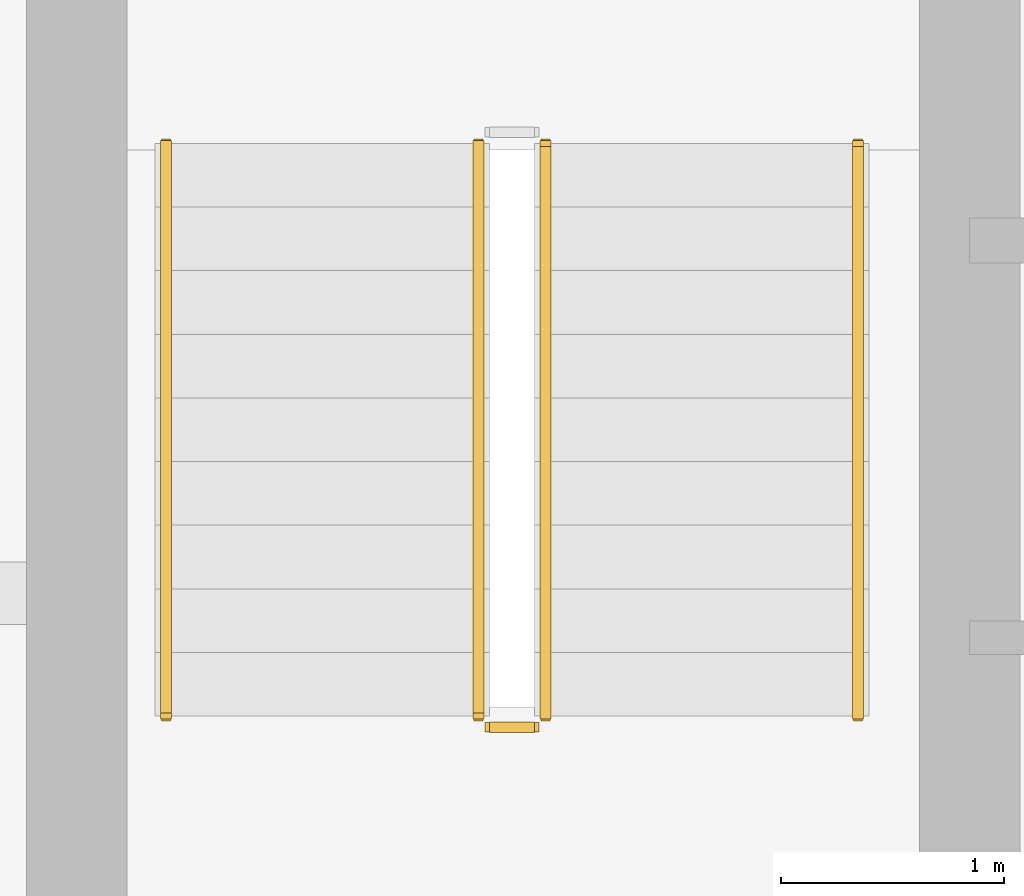
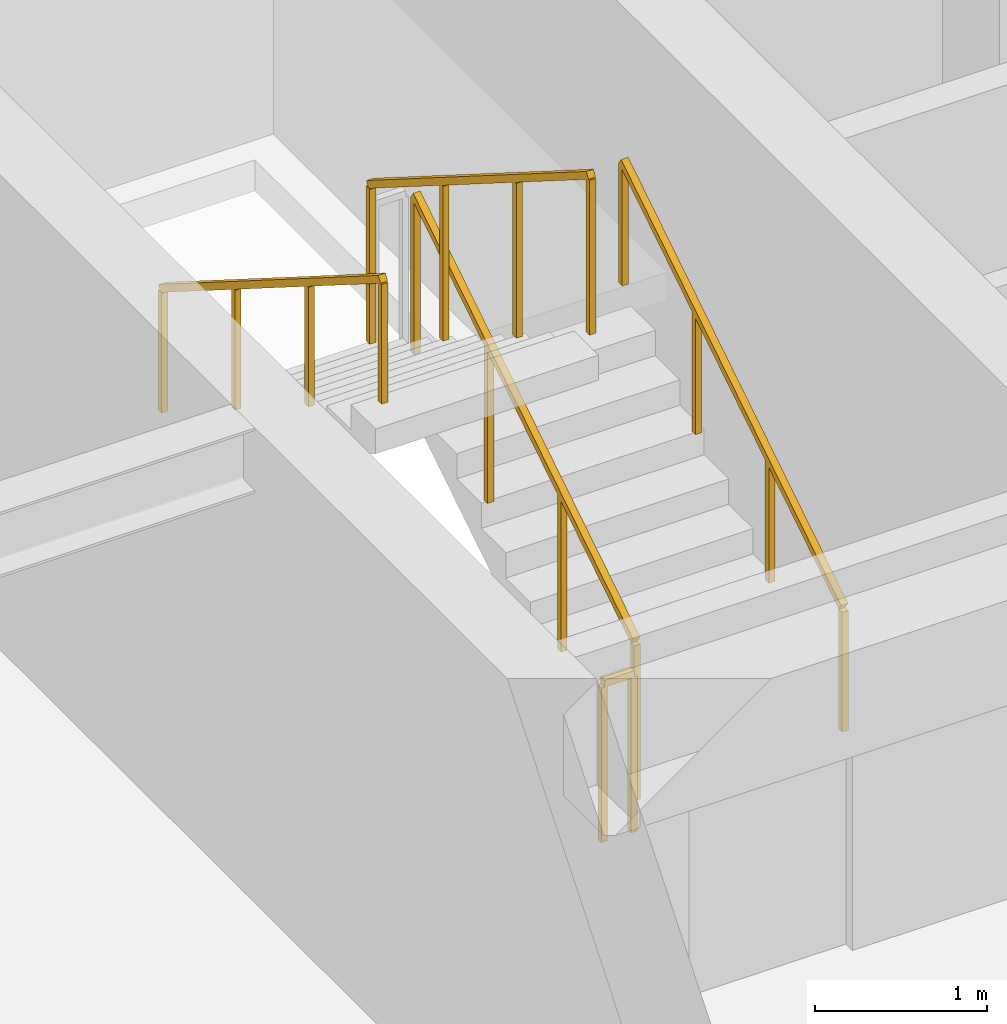
# One storey, part 25 of 27: 5 railings.
"""IFC4 building model written with IfcOpenShell, lengths in metres."""

from ifc_helpers import new_model, si_unit, direction, frame, origin, origin_2d, place, context, subcontext, project, spatial, rectangle, extrude, material, type_object, element, save


model = new_model("IFC4")

# Units and contexts
model_context = context("Model", 3, precision=1e-05, world=origin(), true_north=direction((0.0, 1.0)))
body_context = subcontext(model_context, "Body", "Model", "MODEL_VIEW")
ifc_project = project(units=[si_unit("LENGTHUNIT", "METRE"), si_unit("AREAUNIT", "SQUARE_METRE"), si_unit("VOLUMEUNIT", "CUBIC_METRE"), si_unit("PLANEANGLEUNIT", "RADIAN"), si_unit("MASSUNIT", "GRAM", prefix="KILO")], contexts=[model_context])

# Site, building, storey
site_placement = place(None, origin())
site = spatial("IfcSite", under=ifc_project, at=site_placement, CompositionType="ELEMENT")
building_placement = place(site_placement, origin())
building = spatial("IfcBuilding", under=site, at=building_placement, Name="Sarneth Arch Tower", CompositionType="ELEMENT")
storey_placement = place(building_placement, frame((0.0, 0.0, 193.800048828125)))
storey = spatial("IfcBuildingStorey", under=building, at=storey_placement, Name="L49", CompositionType="ELEMENT", Elevation=193.800048828125)

# Railings
ifc_material_1 = material(Name="Brushed Stainless Steel 304 tubular handrail", Category="steel")
railing_type_1 = type_object("IfcRailingType", Name="RAIL-HANDRAIL-900", PredefinedType="HANDRAIL", material=ifc_material_1)
railing_1_placement = place(storey_placement, frame((40.5, 41.449951171875, 0.179931640625)))
element("IfcRailing", 1, at=railing_1_placement, inside=storey, type_object=railing_type_1, Name="L49 ST-1 stair handrail 1", PredefinedType="HANDRAIL", context=body_context, shape_type="SweptSolid", body=[
    extrude(rectangle(XDim=0.048095703125, YDim=0.048095703125, at=origin_2d()), frame((0.0, 0.0, 0.8759765625), z_axis=(0.0, 0.845465955043, 0.534029323973), x_axis=(-1.0, 0.0, 0.0)), (0.0, 0.0, 1.0), 3.03369140625),
    extrude(rectangle(XDim=0.0419921875, YDim=0.0419921875, at=origin_2d()), origin(), (0.0, 0.0, 1.0), 0.851806640625),
    extrude(rectangle(XDim=0.0419921875, YDim=0.0419921875, at=origin_2d()), frame((0.0, 0.85498046875, 0.5400390625)), (0.0, 0.0, 1.0), 0.851806640625),
    extrude(rectangle(XDim=0.0419921875, YDim=0.0419921875, at=origin_2d()), frame((0.0, 1.7099609375, 1.080078125)), (0.0, 0.0, 1.0), 0.851806640625),
    extrude(rectangle(XDim=0.0419921875, YDim=0.0419921875, at=origin_2d()), frame((0.0, 2.56494140625, 1.6201171875)), (0.0, 0.0, 1.0), 0.851806640625),
])
railing_2_placement = place(storey_placement, frame((37.39990234375, 44.014892578125, 1.97998046875)))
element("IfcRailing", 2, at=railing_2_placement, inside=storey, type_object=railing_type_1, Name="L49 ST-1 stair handrail 2", PredefinedType="HANDRAIL", context=body_context, shape_type="SweptSolid", body=[
    extrude(rectangle(XDim=0.048095703125, YDim=0.048095703125, at=origin_2d()), frame((0.0, 0.0, 0.8759765625), z_axis=(0.0, -0.845502289212, 0.533971796014), x_axis=(1.0, 0.0, 0.0)), (0.0, 0.0, 1.0), 3.03369140625),
    extrude(rectangle(XDim=0.0419921875, YDim=0.0419921875, at=origin_2d()), origin(), (0.0, 0.0, 1.0), 0.851806640625),
    extrude(rectangle(XDim=0.0419921875, YDim=0.0419921875, at=origin_2d()), frame((0.0, -0.85498046875, 0.5400390625)), (0.0, 0.0, 1.0), 0.851806640625),
    extrude(rectangle(XDim=0.0419921875, YDim=0.0419921875, at=origin_2d()), frame((0.0, -1.7099609375, 1.079833984375)), (0.0, 0.0, 1.0), 0.851806640625),
    extrude(rectangle(XDim=0.0419921875, YDim=0.0419921875, at=origin_2d()), frame((0.0, -2.56494140625, 1.619873046875)), (0.0, 0.0, 1.0), 0.851806640625),
])
ifc_material_2 = material(Name="Painted Steel S275 stair well guard", Category="steel")
railing_type_2 = type_object("IfcRailingType", Name="RAIL-STAIR-GUARD", PredefinedType="GUARDRAIL", material=ifc_material_2)
railing_3_placement = place(storey_placement, frame((39.10009765625, 41.449951171875, 0.179931640625)))
element("IfcRailing", 3, at=railing_3_placement, inside=storey, type_object=railing_type_2, Name="L49 ST-1 stair guard 1", PredefinedType="GUARDRAIL", context=body_context, shape_type="SweptSolid", body=[
    extrude(rectangle(XDim=0.048095703125, YDim=0.048095703125, at=origin_2d()), frame((0.0, 0.0, 1.1259765625), z_axis=(0.0, 0.845465955043, 0.534029323973), x_axis=(-1.0, 0.0, 0.0)), (0.0, 0.0, 1.0), 3.03369140625),
    extrude(rectangle(XDim=0.0419921875, YDim=0.0419921875, at=origin_2d()), origin(), (0.0, 0.0, 1.0), 1.101806640625),
    extrude(rectangle(XDim=0.0419921875, YDim=0.0419921875, at=origin_2d()), frame((0.0, 0.85498046875, 0.5400390625)), (0.0, 0.0, 1.0), 1.101806640625),
    extrude(rectangle(XDim=0.0419921875, YDim=0.0419921875, at=origin_2d()), frame((0.0, 1.7099609375, 1.080078125)), (0.0, 0.0, 1.0), 1.101806640625),
    extrude(rectangle(XDim=0.0419921875, YDim=0.0419921875, at=origin_2d()), frame((0.0, 2.56494140625, 1.6201171875)), (0.0, 0.0, 1.0), 1.101806640625),
])
railing_4_placement = place(storey_placement, frame((38.800048828125, 44.014892578125, 1.97998046875)))
element("IfcRailing", 4, at=railing_4_placement, inside=storey, type_object=railing_type_2, Name="L49 ST-1 stair guard 3", PredefinedType="GUARDRAIL", context=body_context, shape_type="SweptSolid", body=[
    extrude(rectangle(XDim=0.048095703125, YDim=0.048095703125, at=origin_2d()), frame((0.0, 0.0, 1.1259765625), z_axis=(0.0, -0.845502289212, 0.533971796014), x_axis=(1.0, 0.0, 0.0)), (0.0, 0.0, 1.0), 3.03369140625),
    extrude(rectangle(XDim=0.0419921875, YDim=0.0419921875, at=origin_2d()), origin(), (0.0, 0.0, 1.0), 1.101806640625),
    extrude(rectangle(XDim=0.0419921875, YDim=0.0419921875, at=origin_2d()), frame((0.0, -0.85498046875, 0.5400390625)), (0.0, 0.0, 1.0), 1.101806640625),
    extrude(rectangle(XDim=0.0419921875, YDim=0.0419921875, at=origin_2d()), frame((0.0, -1.7099609375, 1.079833984375)), (0.0, 0.0, 1.0), 1.101806640625),
    extrude(rectangle(XDim=0.0419921875, YDim=0.0419921875, at=origin_2d()), frame((0.0, -2.56494140625, 1.619873046875)), (0.0, 0.0, 1.0), 1.101806640625),
])
railing_5_placement = place(storey_placement, frame((39.050048828125, 41.39990234375, 0.0)))
element("IfcRailing", 5, at=railing_5_placement, inside=storey, type_object=railing_type_2, Name="L49 ST-1 stair guard 4", PredefinedType="GUARDRAIL", context=body_context, shape_type="SweptSolid", body=[
    extrude(rectangle(XDim=0.048095703125, YDim=0.048095703125, at=origin_2d()), frame((0.0, 0.0, 1.1259765625), z_axis=(-1.0, 0.0, 0.0), x_axis=(0.0, -1.0, 0.0)), (0.0, 0.0, 1.0), 0.199951171875),
    extrude(rectangle(XDim=0.0419921875, YDim=0.0419921875, at=origin_2d()), origin(), (0.0, 0.0, 1.0), 1.101806640625),
    extrude(rectangle(XDim=0.0419921875, YDim=0.0419921875, at=origin_2d()), frame((-0.199951171875, 0.0, 0.0)), (0.0, 0.0, 1.0), 1.101806640625),
])

save(model, "model.ifc")
